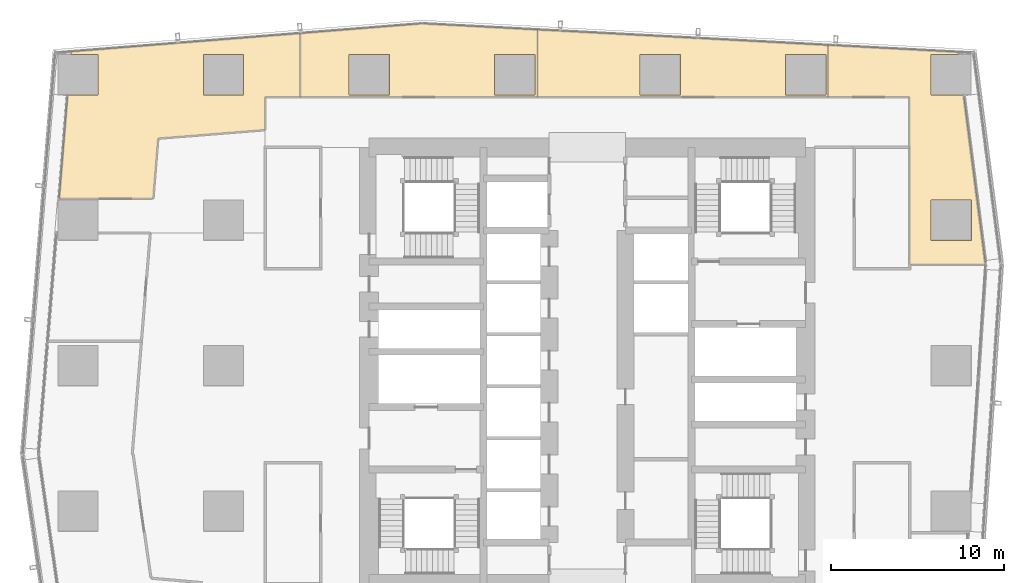
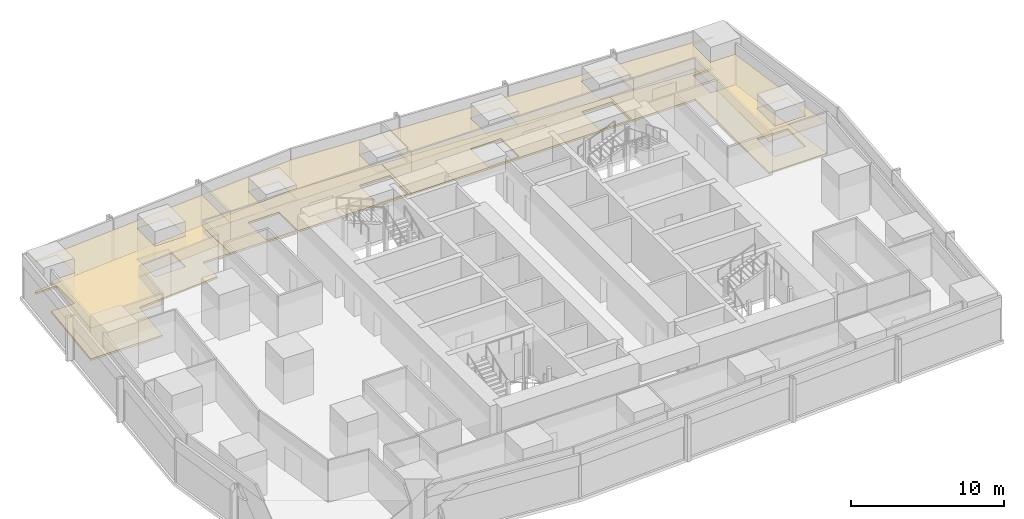
# One storey, part 32 of 32: 8 coverings.
"""IFC4 building model written with IfcOpenShell, lengths in metres."""

from ifc_helpers import new_model, si_unit, direction, frame, origin, place, context, subcontext, project, spatial, polyline, outline, extrude, material, layer, layer_set, type_object, element, save


model = new_model("IFC4")

# Units and contexts
model_context = context("Model", 3, precision=1e-05, world=origin(), true_north=direction((0.0, 1.0)))
body_context = subcontext(model_context, "Body", "Model", "MODEL_VIEW")
ifc_project = project(units=[si_unit("LENGTHUNIT", "METRE"), si_unit("AREAUNIT", "SQUARE_METRE"), si_unit("VOLUMEUNIT", "CUBIC_METRE"), si_unit("PLANEANGLEUNIT", "RADIAN"), si_unit("MASSUNIT", "GRAM", prefix="KILO")], contexts=[model_context])

# Site, building, storey
site_placement = place(None, origin())
site = spatial("IfcSite", under=ifc_project, at=site_placement, CompositionType="ELEMENT")
building_placement = place(site_placement, origin())
building = spatial("IfcBuilding", under=site, at=building_placement, Name="Rekha Terrace Tower", CompositionType="ELEMENT")
storey_placement = place(building_placement, frame((0.0, 0.0, 250.10009765625)))
storey = spatial("IfcBuildingStorey", under=building, at=storey_placement, Name="L63", CompositionType="ELEMENT", Elevation=250.10009765625)

# Coverings
ifc_material_1 = material(Name="Mineral fibre tile in exposed grid", Category="finish")
ifc_layer_1 = layer(ifc_material_1, 0.02001953125)
ifc_layer_set_1 = layer_set([ifc_layer_1], Name="Mineral fibre tile in exposed grid")
covering_type_1 = type_object("IfcCoveringType", Name="CL1 600x1200 office grid ceiling", PredefinedType="CEILING", material=ifc_layer_set_1)
covering_1_placement = place(storey_placement, frame((0.0, 0.0, 2.579833984375)))
element("IfcCovering", 1, at=covering_1_placement, inside=storey, type_object=covering_type_1, Name="Ceiling L63-03", PredefinedType="CEILING", context=body_context, shape_type="SweptSolid", body=[
    extrude(outline(polyline([(59.199951171875, 51.7060546875), (51.681884765625, 52.10595703125), (51.681884765625, 49.10009765625), (56.39990234375, 49.10009765625), (56.39990234375, 39.43994140625), (60.781005859375, 39.43994140625), (59.51806640625, 49.235107421875), (57.635009765625, 49.235107421875), (57.635009765625, 51.56494140625), (59.218017578125, 51.56494140625), (59.199951171875, 51.7060546875)]), holes=[polyline([(59.965087890625, 40.8349609375), (57.635009765625, 40.8349609375), (57.635009765625, 43.1650390625), (59.965087890625, 43.1650390625), (59.965087890625, 40.8349609375)])]), origin(), (0.0, 0.0, 1.0), 0.02001953125),
])
covering_2_placement = place(storey_placement, frame((0.0, 0.0, 2.579833984375)))
element("IfcCovering", 2, at=covering_2_placement, inside=storey, type_object=covering_type_1, Name="Ceiling L63-04", PredefinedType="CEILING", context=body_context, shape_type="SweptSolid", body=[
    extrude(outline(polyline([(51.680908203125, 52.10595703125), (43.387939453125, 52.547119140625), (34.916015625, 52.9970703125), (34.916015625, 49.10009765625), (51.680908203125, 49.10009765625), (51.680908203125, 52.10595703125)]), holes=[polyline([(51.56494140625, 51.56494140625), (51.56494140625, 49.235107421875), (49.235107421875, 49.235107421875), (49.235107421875, 51.56494140625), (51.56494140625, 51.56494140625)]), polyline([(43.1650390625, 49.235107421875), (40.8349609375, 49.235107421875), (40.8349609375, 51.56494140625), (43.1650390625, 51.56494140625), (43.1650390625, 49.235107421875)])]), origin(), (0.0, 0.0, 1.0), 0.02001953125),
])
covering_3_placement = place(storey_placement, frame((0.0, 0.0, 2.579833984375)))
element("IfcCovering", 3, at=covering_3_placement, inside=storey, type_object=covering_type_1, Name="Ceiling L63-05", PredefinedType="CEILING", context=body_context, shape_type="SweptSolid", body=[
    extrude(outline(polyline([(28.27294921875, 53.35009765625), (26.614990234375, 53.218017578125), (21.22705078125, 52.7880859375), (21.22705078125, 49.10009765625), (34.9150390625, 49.10009765625), (34.9150390625, 52.9970703125), (28.27294921875, 53.35009765625)]), holes=[polyline([(34.764892578125, 49.235107421875), (32.43505859375, 49.235107421875), (32.43505859375, 51.56494140625), (34.764892578125, 51.56494140625), (34.764892578125, 49.235107421875)]), polyline([(26.364990234375, 51.56494140625), (26.364990234375, 49.235107421875), (24.034912109375, 49.235107421875), (24.034912109375, 51.56494140625), (26.364990234375, 51.56494140625)])]), origin(), (0.0, 0.0, 1.0), 0.02001953125),
])
covering_4_placement = place(storey_placement, frame((0.0, 0.0, 2.579833984375)))
element("IfcCovering", 4, at=covering_4_placement, inside=storey, type_object=covering_type_1, Name="Ceiling L63-06", PredefinedType="CEILING", context=body_context, shape_type="SweptSolid", body=[
    extrude(outline(polyline([(7.801025390625, 49.235107421875), (7.31103515625, 43.2109375), (12.72900390625, 43.2109375), (13.013916015625, 46.716064453125), (15.451904296875, 46.909912109375), (19.199951171875, 47.208984375), (19.199951171875, 49.10009765625), (21.22607421875, 49.10009765625), (21.22607421875, 52.7880859375), (15.4560546875, 52.326904296875), (8.00390625, 51.73291015625), (7.989990234375, 51.56494140625), (9.56494140625, 51.56494140625), (9.56494140625, 49.235107421875), (7.801025390625, 49.235107421875)]), holes=[polyline([(17.965087890625, 49.235107421875), (15.635009765625, 49.235107421875), (15.635009765625, 51.56494140625), (17.965087890625, 51.56494140625), (17.965087890625, 49.235107421875)])]), origin(), (0.0, 0.0, 1.0), 0.02001953125),
])
ifc_material_2 = material(Name="Calcium sulphate panels on steel pedestals", Category="steel")
ifc_layer_2 = layer(ifc_material_2, 0.14990234375)
ifc_layer_set_2 = layer_set([ifc_layer_2], Name="Calcium sulphate panels on steel pedestals")
covering_type_2 = type_object("IfcCoveringType", Name="RF1 150 raised access floor", PredefinedType="FLOORING", material=ifc_layer_set_2)
covering_5_placement = place(storey_placement, origin())
element("IfcCovering", 5, at=covering_5_placement, inside=storey, type_object=covering_type_2, Name="Raised floor L63-03", PredefinedType="FLOORING", context=body_context, shape_type="SweptSolid", body=[
    extrude(outline(polyline([(59.199951171875, 51.7060546875), (51.681884765625, 52.10595703125), (51.681884765625, 49.10009765625), (56.39990234375, 49.10009765625), (56.39990234375, 39.43994140625), (60.781005859375, 39.43994140625), (59.51806640625, 49.235107421875), (57.635009765625, 49.235107421875), (57.635009765625, 51.56494140625), (59.218017578125, 51.56494140625), (59.199951171875, 51.7060546875)]), holes=[polyline([(59.965087890625, 40.8349609375), (57.635009765625, 40.8349609375), (57.635009765625, 43.1650390625), (59.965087890625, 43.1650390625), (59.965087890625, 40.8349609375)])]), origin(), (0.0, 0.0, 1.0), 0.14990234375),
])
covering_6_placement = place(storey_placement, origin())
element("IfcCovering", 6, at=covering_6_placement, inside=storey, type_object=covering_type_2, Name="Raised floor L63-04", PredefinedType="FLOORING", context=body_context, shape_type="SweptSolid", body=[
    extrude(outline(polyline([(51.680908203125, 52.10595703125), (43.387939453125, 52.547119140625), (34.916015625, 52.9970703125), (34.916015625, 49.10009765625), (51.680908203125, 49.10009765625), (51.680908203125, 52.10595703125)]), holes=[polyline([(51.56494140625, 51.56494140625), (51.56494140625, 49.235107421875), (49.235107421875, 49.235107421875), (49.235107421875, 51.56494140625), (51.56494140625, 51.56494140625)]), polyline([(43.1650390625, 49.235107421875), (40.8349609375, 49.235107421875), (40.8349609375, 51.56494140625), (43.1650390625, 51.56494140625), (43.1650390625, 49.235107421875)])]), origin(), (0.0, 0.0, 1.0), 0.14990234375),
])
covering_7_placement = place(storey_placement, origin())
element("IfcCovering", 7, at=covering_7_placement, inside=storey, type_object=covering_type_2, Name="Raised floor L63-05", PredefinedType="FLOORING", context=body_context, shape_type="SweptSolid", body=[
    extrude(outline(polyline([(28.27294921875, 53.35009765625), (26.614990234375, 53.218017578125), (21.22705078125, 52.7880859375), (21.22705078125, 49.10009765625), (34.9150390625, 49.10009765625), (34.9150390625, 52.9970703125), (28.27294921875, 53.35009765625)]), holes=[polyline([(34.764892578125, 49.235107421875), (32.43505859375, 49.235107421875), (32.43505859375, 51.56494140625), (34.764892578125, 51.56494140625), (34.764892578125, 49.235107421875)]), polyline([(26.364990234375, 51.56494140625), (26.364990234375, 49.235107421875), (24.034912109375, 49.235107421875), (24.034912109375, 51.56494140625), (26.364990234375, 51.56494140625)])]), origin(), (0.0, 0.0, 1.0), 0.14990234375),
])
covering_8_placement = place(storey_placement, origin())
element("IfcCovering", 8, at=covering_8_placement, inside=storey, type_object=covering_type_2, Name="Raised floor L63-06", PredefinedType="FLOORING", context=body_context, shape_type="SweptSolid", body=[
    extrude(outline(polyline([(7.801025390625, 49.235107421875), (7.31103515625, 43.2109375), (12.72900390625, 43.2109375), (13.013916015625, 46.716064453125), (15.451904296875, 46.909912109375), (19.199951171875, 47.208984375), (19.199951171875, 49.10009765625), (21.22607421875, 49.10009765625), (21.22607421875, 52.7880859375), (15.4560546875, 52.326904296875), (8.00390625, 51.73291015625), (7.989990234375, 51.56494140625), (9.56494140625, 51.56494140625), (9.56494140625, 49.235107421875), (7.801025390625, 49.235107421875)]), holes=[polyline([(17.965087890625, 49.235107421875), (15.635009765625, 49.235107421875), (15.635009765625, 51.56494140625), (17.965087890625, 51.56494140625), (17.965087890625, 49.235107421875)])]), origin(), (0.0, 0.0, 1.0), 0.14990234375),
])

save(model, "model.ifc")
